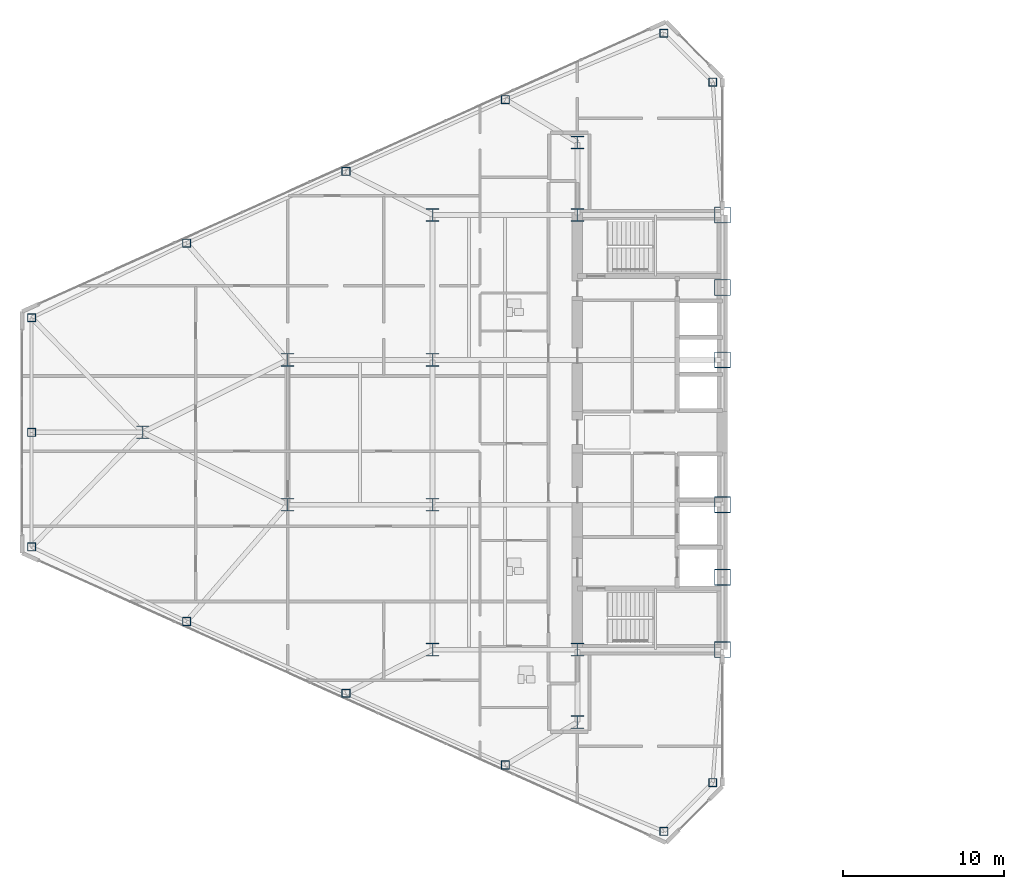
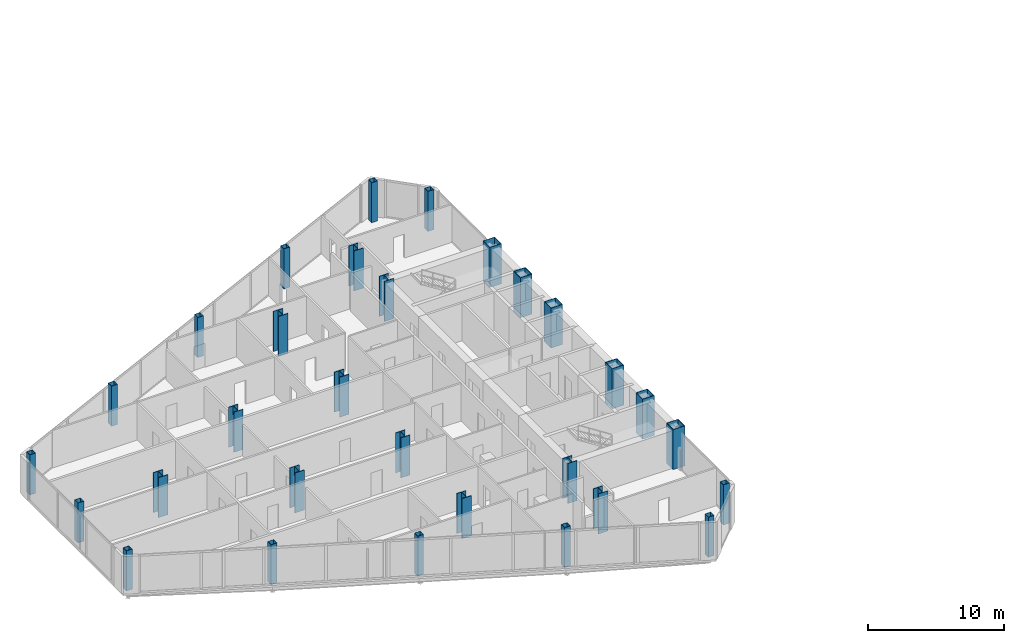
# One storey, part 1 of 27: 30 columns.
"""IFC4 building model written with IfcOpenShell, lengths in metres."""

from ifc_helpers import new_model, si_unit, direction, frame, origin, origin_2d, place, context, subcontext, project, spatial, hollow_rectangle, i_section, extrude, source, transform, mapped, material, material_profile, profile_set, type_object, type_shapes, element, save


model = new_model("IFC4")

# Units and contexts
model_context = context("Model", 3, precision=1e-05, world=origin(), true_north=direction((0.0, 1.0)))
body_context = subcontext(model_context, "Body", "Model", "MODEL_VIEW")
ifc_project = project(units=[si_unit("LENGTHUNIT", "METRE"), si_unit("AREAUNIT", "SQUARE_METRE"), si_unit("VOLUMEUNIT", "CUBIC_METRE"), si_unit("PLANEANGLEUNIT", "RADIAN"), si_unit("MASSUNIT", "GRAM", prefix="KILO")], contexts=[model_context])

# Site, building, storey
site_placement = place(None, origin())
site = spatial("IfcSite", under=ifc_project, at=site_placement, CompositionType="ELEMENT")
building_placement = place(site_placement, origin())
building = spatial("IfcBuilding", under=site, at=building_placement, Name="Seokmaru Belvedere", CompositionType="ELEMENT")
storey_placement = place(building_placement, frame((0.0, 0.0, 106.800048828125)))
storey = spatial("IfcBuildingStorey", under=building, at=storey_placement, Name="L28", CompositionType="ELEMENT", Elevation=106.800048828125)

# Columns
ifc_material_1 = material(Name="Steel SM355 (355 MPa)", Category="steel")
ifc_material_profile_1 = material_profile(ifc_material_1, hollow_rectangle(XDim=0.5, YDim=0.5, WallThickness=0.02001953125, at=origin_2d()), Name="HSS-500x500x20")
ifc_profile_set_1 = profile_set([ifc_material_profile_1], Name="Steel SM355 (355 MPa)")
column_type_1 = type_object("IfcColumnType", Name="Perimeter Facet Column HSS-500", PredefinedType="COLUMN", material=ifc_profile_set_1)
shared_shape_1 = source(origin(), body_context, "Body", "SweptSolid", [
    extrude(hollow_rectangle(XDim=0.5, YDim=0.5, WallThickness=0.02001953125, at=origin_2d()), origin(), (0.0, 0.0, 1.0), 3.599853515625),
])
type_shapes(column_type_1, [shared_shape_1])
for number, where, z_axis, x_axis, name in (
    (1, (-28.10009765625, -21.75146484375, 0.0), (0.0, 0.0, 1.0), (1.0, 0.0, 0.0), "L28 Column WF1"),
    (2, (-28.10009765625, 21.75146484375, 0.0), (0.0, 0.0, 1.0), (1.0, 0.0, 0.0), "L28 Column WF2"),
    (3, (-31.13134765625, 24.782958984375, 0.0), (0.0, 0.0, 1.0), (1.0, 0.0, 0.0), "L28 Column WF3"),
    (4, (-70.39990234375, 7.112060546875, 0.0), (0.0, 0.0, 1.0), (1.0, 0.0, 0.0), "L28 Column WF4"),
    (5, (-70.39990234375, -7.112060546875, 0.0), (0.0, 0.0, 1.0), (1.0, 0.0, 0.0), "L28 Column WF5"),
    (6, (-31.13134765625, -24.782958984375, 0.0), (0.0, 0.0, 1.0), (1.0, 0.0, 0.0), "L28 Column WF6"),
    (7, (-40.97265625, -20.661376953125, 0.0), (0.0, 0.0, 1.0), (1.0, 0.0, 0.0), "L28 Column WFLK_S1"),
    (8, (-50.875, -16.205322265625, 0.0), (0.0, 0.0, 1.0), (1.0, 0.0, 0.0), "L28 Column WFLK_S2"),
    (9, (-60.777587890625, -11.749267578125, 0.0), (0.0, 0.0, 1.0), (1.0, 0.0, 0.0), "L28 Column WFLK_S3"),
    (10, (-40.97265625, 20.661376953125, 0.0), (0.0, 0.0, 1.0), (1.0, 0.0, 0.0), "L28 Column WFLK_N1"),
    (11, (-50.875, 16.205322265625, 0.0), (0.0, 0.0, 1.0), (1.0, 0.0, 0.0), "L28 Column WFLK_N2"),
    (12, (-60.777587890625, 11.749267578125, 0.0), (0.0, 0.0, 1.0), (1.0, 0.0, 0.0), "L28 Column WFLK_N3"),
    (13, (-70.39990234375, 0.0, 0.0), (0.0, 0.0, 1.0), (1.0, 0.0, 0.0), "L28 Column WF_APXM"),
):
    element("IfcColumn", number, at=place(storey_placement, frame(where, z_axis=z_axis, x_axis=x_axis)), inside=storey, type_object=column_type_1, Name=name, PredefinedType="COLUMN", context=body_context, shape_type="MappedRepresentation", body=[
        mapped(shared_shape_1, transform((0.0, 0.0, 0.0), scale=1.0)),
    ])
ifc_material_2 = material(Name="Steel HSA650 (650 MPa)", Category="steel")
ifc_material_profile_2 = material_profile(ifc_material_2, hollow_rectangle(XDim=1.0, YDim=1.0, WallThickness=0.0419921875, at=origin_2d()), Name="BOX-1000x1000x42")
ifc_profile_set_2 = profile_set([ifc_material_profile_2], Name="Steel HSA650 (650 MPa)")
column_type_2 = type_object("IfcColumnType", Name="Portal Spine Column BOX-1000", PredefinedType="COLUMN", material=ifc_profile_set_2)
shared_shape_2 = source(origin(), body_context, "Body", "SweptSolid", [
    extrude(hollow_rectangle(XDim=1.0, YDim=1.0, WallThickness=0.0419921875, at=origin_2d()), origin(), (0.0, 0.0, 1.0), 3.599853515625),
])
type_shapes(column_type_2, [shared_shape_2])
for number, where, z_axis, x_axis, name in (
    (14, (-27.5, -13.5, 0.0), (0.0, 0.0, 1.0), (1.0, 0.0, 0.0), "L28 Column WS1"),
    (15, (-27.5, -9.0, 0.0), (0.0, 0.0, 1.0), (1.0, 0.0, 0.0), "L28 Column WS2"),
    (16, (-27.5, -4.5, 0.0), (0.0, 0.0, 1.0), (1.0, 0.0, 0.0), "L28 Column WS3"),
    (17, (-27.5, 4.5, 0.0), (0.0, 0.0, 1.0), (1.0, 0.0, 0.0), "L28 Column WS4"),
    (18, (-27.5, 9.0, 0.0), (0.0, 0.0, 1.0), (1.0, 0.0, 0.0), "L28 Column WS5"),
    (19, (-27.5, 13.5, 0.0), (0.0, 0.0, 1.0), (1.0, 0.0, 0.0), "L28 Column WS6"),
):
    element("IfcColumn", number, at=place(storey_placement, frame(where, z_axis=z_axis, x_axis=x_axis)), inside=storey, type_object=column_type_2, Name=name, PredefinedType="COLUMN", context=body_context, shape_type="MappedRepresentation", body=[
        mapped(shared_shape_2, transform((0.0, 0.0, 0.0), scale=1.0)),
    ])
ifc_material_profile_3 = material_profile(ifc_material_1, i_section(OverallWidth=0.800048828125, OverallDepth=0.800048828125, WebThickness=0.031982421875, FlangeThickness=0.050048828125, at=origin_2d()), Name="H-800x800x32x50")
ifc_profile_set_3 = profile_set([ifc_material_profile_3], Name="Steel SM355 (355 MPa)")
column_type_3 = type_object("IfcColumnType", Name="Lower-Mid Interior Column H-800", PredefinedType="COLUMN", material=ifc_profile_set_3)
shared_shape_3 = source(origin(), body_context, "Body", "SweptSolid", [
    extrude(i_section(OverallWidth=0.800048828125, OverallDepth=0.800048828125, WebThickness=0.031982421875, FlangeThickness=0.050048828125, at=origin_2d()), origin(), (0.0, 0.0, 1.0), 3.599853515625),
])
type_shapes(column_type_3, [shared_shape_3])
for number, where, z_axis, x_axis, name in (
    (20, (-36.5, -18.0, 0.0), (0.0, 0.0, 1.0), (1.0, 0.0, 0.0), "L28 Column WC1"),
    (21, (-36.5, -13.5, 0.0), (0.0, 0.0, 1.0), (1.0, 0.0, 0.0), "L28 Column WC2"),
    (22, (-36.5, 13.5, 0.0), (0.0, 0.0, 1.0), (1.0, 0.0, 0.0), "L28 Column WC3"),
    (23, (-36.5, 18.0, 0.0), (0.0, 0.0, 1.0), (1.0, 0.0, 0.0), "L28 Column WC4"),
    (24, (-45.5, -13.5, 0.0), (0.0, 0.0, 1.0), (1.0, 0.0, 0.0), "L28 Column WG5_1"),
    (25, (-45.5, -4.5, 0.0), (0.0, 0.0, 1.0), (1.0, 0.0, 0.0), "L28 Column WG5_2"),
    (26, (-45.5, 4.5, 0.0), (0.0, 0.0, 1.0), (1.0, 0.0, 0.0), "L28 Column WG5_3"),
    (27, (-45.5, 13.5, 0.0), (0.0, 0.0, 1.0), (1.0, 0.0, 0.0), "L28 Column WG5_4"),
    (28, (-54.5, -4.5, 0.0), (0.0, 0.0, 1.0), (1.0, 0.0, 0.0), "L28 Column WG4P_1"),
    (29, (-54.5, 4.5, 0.0), (0.0, 0.0, 1.0), (1.0, 0.0, 0.0), "L28 Column WG4P_2"),
    (30, (-63.5, 0.0, 0.0), (0.0, 0.0, 1.0), (1.0, 0.0, 0.0), "L28 Column WG3P_1"),
):
    element("IfcColumn", number, at=place(storey_placement, frame(where, z_axis=z_axis, x_axis=x_axis)), inside=storey, type_object=column_type_3, Name=name, PredefinedType="COLUMN", context=body_context, shape_type="MappedRepresentation", body=[
        mapped(shared_shape_3, transform((0.0, 0.0, 0.0), scale=1.0)),
    ])

save(model, "model.ifc")
